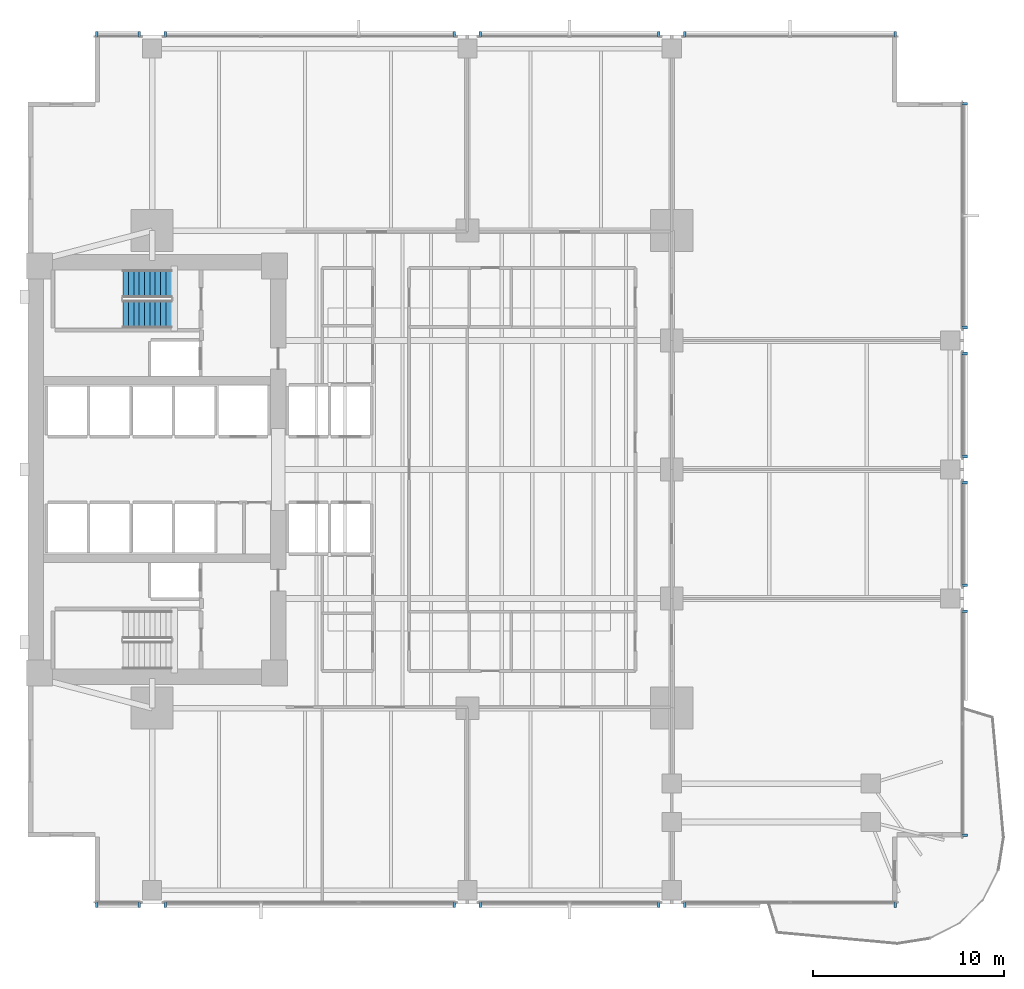
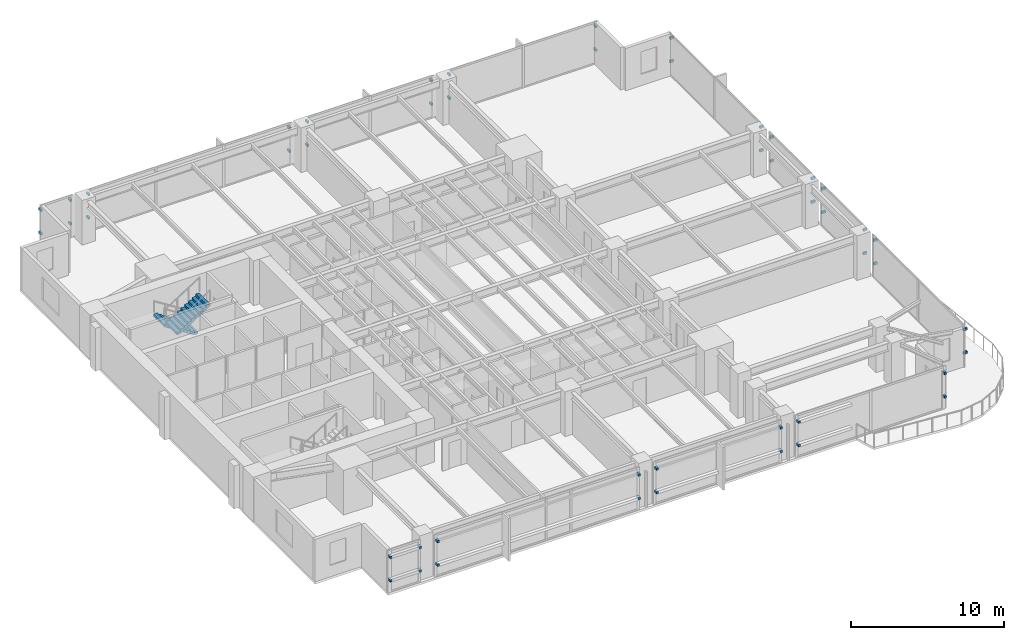
# One storey, part 11 of 15: 48 discrete accessories, 2 stair flights, 1 element without a shape of its own.
"""IFC4 building model written with IfcOpenShell, lengths in metres."""

from ifc_helpers import new_model, si_unit, direction, frame, origin, origin_2d, place, context, subcontext, project, spatial, polyline, rectangle, outline, extrude, material, type_object, element, aggregate, save


model = new_model("IFC4")

# Units and contexts
model_context = context("Model", 3, precision=1e-05, world=origin(), true_north=direction((0.0, 1.0)))
body_context = subcontext(model_context, "Body", "Model", "MODEL_VIEW")
ifc_project = project(units=[si_unit("LENGTHUNIT", "METRE"), si_unit("AREAUNIT", "SQUARE_METRE"), si_unit("VOLUMEUNIT", "CUBIC_METRE"), si_unit("PLANEANGLEUNIT", "RADIAN"), si_unit("MASSUNIT", "GRAM", prefix="KILO")], contexts=[model_context])

# Site, building, storey
site_placement = place(None, origin())
site = spatial("IfcSite", under=ifc_project, at=site_placement, CompositionType="ELEMENT")
building_placement = place(site_placement, origin())
building = spatial("IfcBuilding", under=site, at=building_placement, Name="Kinhvarn Gate Tower", CompositionType="ELEMENT")
storey_placement = place(building_placement, frame((0.0, 0.0, 29.14990234375)))
storey = spatial("IfcBuildingStorey", under=building, at=storey_placement, Name="L06", CompositionType="ELEMENT", Elevation=29.14990234375)

# Stair, stair flights
ifc_material_1 = material(Name="Concrete C40/50", Category="concrete")
stair_type = type_object("IfcStairType", Name="STR-DLG-178", PredefinedType="HALF_TURN_STAIR", material=ifc_material_1)
stair_placement = place(storey_placement, origin())
stair = element("IfcStair", 1, at=stair_placement, inside=storey, type_object=stair_type, Name="L06 Core Smokeproof Exit Stair ST2", PredefinedType="HALF_TURN_STAIR")
stair_flight_type = type_object("IfcStairFlightType", Name="STF-DLG-178", PredefinedType="STRAIGHT", material=ifc_material_1)
stair_flight_1_placement = place(storey_placement, frame((12.0, 34.97509765625, 0.0), z_axis=(0.0, 0.0, 1.0), x_axis=(-1.0, 0.0, 0.0)))
stair_flight_1 = element("IfcStairFlight", 2, at=stair_flight_1_placement, type_object=stair_flight_type, Name="ST2 flight 1", NumberOfRisers=10, NumberOfTreads=9, PredefinedType="STRAIGHT", RiserHeight=0.1775, TreadLength=0.28, context=body_context, shape_type="SweptSolid", body=[
    extrude(outline(polyline([(0.0, 0.0), (0.0, 0.177490234375), (0.280029296875, 0.177490234375), (0.280029296875, 0.35498046875), (0.56005859375, 0.35498046875), (0.56005859375, 0.532470703125), (0.840087890625, 0.532470703125), (0.840087890625, 0.7099609375), (1.1201171875, 0.7099609375), (1.1201171875, 0.887451171875), (1.39990234375, 0.887451171875), (1.39990234375, 1.06494140625), (1.679931640625, 1.06494140625), (1.679931640625, 1.242431640625), (1.9599609375, 1.242431640625), (1.9599609375, 1.419921875), (2.239990234375, 1.419921875), (2.239990234375, 1.597412109375), (2.52001953125, 1.597412109375), (2.52001953125, 1.77490234375), (2.52001953125, 1.419921875), (0.280029296875, 0.0), (0.0, 0.0)])), frame((0.0, 0.72509765625, 0.0), z_axis=(0.0, -1.0, 0.0), x_axis=(1.0, 0.0, 0.0)), (0.0, 0.0, 1.0), 1.449951171875),
])
stair_flight_2_placement = place(storey_placement, frame((9.47998046875, 33.375, 1.775146484375), z_axis=(0.0, 0.0, 1.0), x_axis=(1.0, 0.0, 0.0)))
stair_flight_2 = element("IfcStairFlight", 3, at=stair_flight_2_placement, type_object=stair_flight_type, Name="ST2 flight 2", NumberOfRisers=10, NumberOfTreads=9, PredefinedType="STRAIGHT", RiserHeight=0.1775, TreadLength=0.28, context=body_context, shape_type="SweptSolid", body=[
    extrude(outline(polyline([(0.0, 0.0), (0.0, 0.177490234375), (0.280029296875, 0.177490234375), (0.280029296875, 0.35498046875), (0.56005859375, 0.35498046875), (0.56005859375, 0.532470703125), (0.840087890625, 0.532470703125), (0.840087890625, 0.7099609375), (1.1201171875, 0.7099609375), (1.1201171875, 0.887451171875), (1.39990234375, 0.887451171875), (1.39990234375, 1.06494140625), (1.679931640625, 1.06494140625), (1.679931640625, 1.242431640625), (1.9599609375, 1.242431640625), (1.9599609375, 1.419921875), (2.239990234375, 1.419921875), (2.239990234375, 1.597412109375), (2.52001953125, 1.597412109375), (2.52001953125, 1.77490234375), (2.52001953125, 1.419921875), (0.280029296875, 0.0), (0.0, 0.0)])), frame((0.0, 0.72509765625, 0.0), z_axis=(0.0, -1.0, 0.0), x_axis=(1.0, 0.0, 0.0)), (0.0, 0.0, 1.0), 1.449951171875),
])
aggregate(stair, [stair_flight_1, stair_flight_2])

# Discrete accessories
ifc_material_2 = material(Name="Anodised aluminium AW-6063", Category="aluminium")
discrete_accessory_type = type_object("IfcDiscreteAccessoryType", Name="ACC-BRK-01", PredefinedType="BRACKET", material=ifc_material_2)
for number, where, z_axis, x_axis, name in (
    (4, (8.10009765625, 2.4599609375, 0.9599609375), (0.0, 0.0, 1.0), (1.0, 0.0, 0.0), "Baguette Support Bracket BK-01 (L06)"),
    (5, (8.10009765625, 2.4599609375, 2.830078125), (0.0, 0.0, 1.0), (1.0, 0.0, 0.0), "Baguette Support Bracket BK-01 (L06)"),
    (6, (10.320068359375, 2.4599609375, 0.9599609375), (0.0, 0.0, 1.0), (1.0, 0.0, 0.0), "Baguette Support Bracket BK-01 (L06)"),
    (7, (10.320068359375, 2.4599609375, 2.830078125), (0.0, 0.0, 1.0), (1.0, 0.0, 0.0), "Baguette Support Bracket BK-01 (L06)"),
    (8, (11.679931640625, 2.4599609375, 0.9599609375), (0.0, 0.0, 1.0), (1.0, 0.0, 0.0), "Baguette Support Bracket BK-01 (L06)"),
    (9, (11.679931640625, 2.4599609375, 2.830078125), (0.0, 0.0, 1.0), (1.0, 0.0, 0.0), "Baguette Support Bracket BK-01 (L06)"),
    (10, (26.820068359375, 2.4599609375, 0.9599609375), (0.0, 0.0, 1.0), (1.0, 0.0, 0.0), "Baguette Support Bracket BK-01 (L06)"),
    (11, (26.820068359375, 2.4599609375, 2.830078125), (0.0, 0.0, 1.0), (1.0, 0.0, 0.0), "Baguette Support Bracket BK-01 (L06)"),
    (12, (28.179931640625, 2.4599609375, 0.9599609375), (0.0, 0.0, 1.0), (1.0, 0.0, 0.0), "Baguette Support Bracket BK-01 (L06)"),
    (13, (28.179931640625, 2.4599609375, 2.830078125), (0.0, 0.0, 1.0), (1.0, 0.0, 0.0), "Baguette Support Bracket BK-01 (L06)"),
    (14, (37.52001953125, 2.4599609375, 0.9599609375), (0.0, 0.0, 1.0), (1.0, 0.0, 0.0), "Baguette Support Bracket BK-01 (L06)"),
    (15, (37.52001953125, 2.4599609375, 2.830078125), (0.0, 0.0, 1.0), (1.0, 0.0, 0.0), "Baguette Support Bracket BK-01 (L06)"),
    (16, (38.8798828125, 2.4599609375, 0.9599609375), (0.0, 0.0, 1.0), (1.0, 0.0, 0.0), "Baguette Support Bracket BK-01 (L06)"),
    (17, (38.8798828125, 2.4599609375, 2.830078125), (0.0, 0.0, 1.0), (1.0, 0.0, 0.0), "Baguette Support Bracket BK-01 (L06)"),
    (18, (49.89990234375, 2.4599609375, 0.9599609375), (0.0, 0.0, 1.0), (1.0, 0.0, 0.0), "Baguette Support Bracket BK-01 (L06)"),
    (19, (49.89990234375, 2.4599609375, 2.830078125), (0.0, 0.0, 1.0), (1.0, 0.0, 0.0), "Baguette Support Bracket BK-01 (L06)"),
    (20, (49.89990234375, 48.0400390625, 0.9599609375), (0.0, 0.0, 1.0), (-1.0, 0.0, 0.0), "Baguette Support Bracket BK-01 (L06)"),
    (21, (49.89990234375, 48.0400390625, 2.830078125), (0.0, 0.0, 1.0), (-1.0, 0.0, 0.0), "Baguette Support Bracket BK-01 (L06)"),
    (22, (38.8798828125, 48.0400390625, 0.9599609375), (0.0, 0.0, 1.0), (-1.0, 0.0, 0.0), "Baguette Support Bracket BK-01 (L06)"),
    (23, (38.8798828125, 48.0400390625, 2.830078125), (0.0, 0.0, 1.0), (-1.0, 0.0, 0.0), "Baguette Support Bracket BK-01 (L06)"),
    (24, (37.52001953125, 48.0400390625, 0.9599609375), (0.0, 0.0, 1.0), (-1.0, 0.0, 0.0), "Baguette Support Bracket BK-01 (L06)"),
    (25, (37.52001953125, 48.0400390625, 2.830078125), (0.0, 0.0, 1.0), (-1.0, 0.0, 0.0), "Baguette Support Bracket BK-01 (L06)"),
    (26, (28.179931640625, 48.0400390625, 0.9599609375), (0.0, 0.0, 1.0), (-1.0, 0.0, 0.0), "Baguette Support Bracket BK-01 (L06)"),
    (27, (28.179931640625, 48.0400390625, 2.830078125), (0.0, 0.0, 1.0), (-1.0, 0.0, 0.0), "Baguette Support Bracket BK-01 (L06)"),
    (28, (26.820068359375, 48.0400390625, 0.9599609375), (0.0, 0.0, 1.0), (-1.0, 0.0, 0.0), "Baguette Support Bracket BK-01 (L06)"),
    (29, (26.820068359375, 48.0400390625, 2.830078125), (0.0, 0.0, 1.0), (-1.0, 0.0, 0.0), "Baguette Support Bracket BK-01 (L06)"),
    (30, (11.679931640625, 48.0400390625, 0.9599609375), (0.0, 0.0, 1.0), (-1.0, 0.0, 0.0), "Baguette Support Bracket BK-01 (L06)"),
    (31, (11.679931640625, 48.0400390625, 2.830078125), (0.0, 0.0, 1.0), (-1.0, 0.0, 0.0), "Baguette Support Bracket BK-01 (L06)"),
    (32, (10.320068359375, 48.0400390625, 0.9599609375), (0.0, 0.0, 1.0), (-1.0, 0.0, 0.0), "Baguette Support Bracket BK-01 (L06)"),
    (33, (10.320068359375, 48.0400390625, 2.830078125), (0.0, 0.0, 1.0), (-1.0, 0.0, 0.0), "Baguette Support Bracket BK-01 (L06)"),
    (34, (8.10009765625, 48.0400390625, 0.9599609375), (0.0, 0.0, 1.0), (-1.0, 0.0, 0.0), "Baguette Support Bracket BK-01 (L06)"),
    (35, (8.10009765625, 48.0400390625, 2.830078125), (0.0, 0.0, 1.0), (-1.0, 0.0, 0.0), "Baguette Support Bracket BK-01 (L06)"),
    (36, (53.5400390625, 6.10009765625, 0.9599609375), (0.0, 0.0, 1.0), (0.0, 1.0, 0.0), "Baguette Support Bracket BK-01 (L06)"),
    (37, (53.5400390625, 6.10009765625, 2.830078125), (0.0, 0.0, 1.0), (0.0, 1.0, 0.0), "Baguette Support Bracket BK-01 (L06)"),
    (38, (53.5400390625, 17.820068359375, 0.9599609375), (0.0, 0.0, 1.0), (0.0, 1.0, 0.0), "Baguette Support Bracket BK-01 (L06)"),
    (39, (53.5400390625, 17.820068359375, 2.830078125), (0.0, 0.0, 1.0), (0.0, 1.0, 0.0), "Baguette Support Bracket BK-01 (L06)"),
    (40, (53.5400390625, 19.179931640625, 0.9599609375), (0.0, 0.0, 1.0), (0.0, 1.0, 0.0), "Baguette Support Bracket BK-01 (L06)"),
    (41, (53.5400390625, 19.179931640625, 2.830078125), (0.0, 0.0, 1.0), (0.0, 1.0, 0.0), "Baguette Support Bracket BK-01 (L06)"),
    (42, (53.5400390625, 24.570068359375, 0.9599609375), (0.0, 0.0, 1.0), (0.0, 1.0, 0.0), "Baguette Support Bracket BK-01 (L06)"),
    (43, (53.5400390625, 24.570068359375, 2.830078125), (0.0, 0.0, 1.0), (0.0, 1.0, 0.0), "Baguette Support Bracket BK-01 (L06)"),
    (44, (53.5400390625, 25.929931640625, 0.9599609375), (0.0, 0.0, 1.0), (0.0, 1.0, 0.0), "Baguette Support Bracket BK-01 (L06)"),
    (45, (53.5400390625, 25.929931640625, 2.830078125), (0.0, 0.0, 1.0), (0.0, 1.0, 0.0), "Baguette Support Bracket BK-01 (L06)"),
    (46, (53.5400390625, 31.320068359375, 0.9599609375), (0.0, 0.0, 1.0), (0.0, 1.0, 0.0), "Baguette Support Bracket BK-01 (L06)"),
    (47, (53.5400390625, 31.320068359375, 2.830078125), (0.0, 0.0, 1.0), (0.0, 1.0, 0.0), "Baguette Support Bracket BK-01 (L06)"),
    (48, (53.5400390625, 32.679931640625, 0.9599609375), (0.0, 0.0, 1.0), (0.0, 1.0, 0.0), "Baguette Support Bracket BK-01 (L06)"),
    (49, (53.5400390625, 32.679931640625, 2.830078125), (0.0, 0.0, 1.0), (0.0, 1.0, 0.0), "Baguette Support Bracket BK-01 (L06)"),
    (50, (53.5400390625, 44.39990234375, 0.9599609375), (0.0, 0.0, 1.0), (0.0, 1.0, 0.0), "Baguette Support Bracket BK-01 (L06)"),
    (51, (53.5400390625, 44.39990234375, 2.830078125), (0.0, 0.0, 1.0), (0.0, 1.0, 0.0), "Baguette Support Bracket BK-01 (L06)"),
):
    element("IfcDiscreteAccessory", number, at=place(storey_placement, frame(where, z_axis=z_axis, x_axis=x_axis)), inside=storey, type_object=discrete_accessory_type, Name=name, PredefinedType="BRACKET", context=body_context, shape_type="SweptSolid", body=[
        extrude(rectangle(XDim=0.139892578125, YDim=0.280029296875, at=origin_2d()), origin(), (0.0, 0.0, 1.0), 0.179931640625),
    ])

save(model, "model.ifc")
